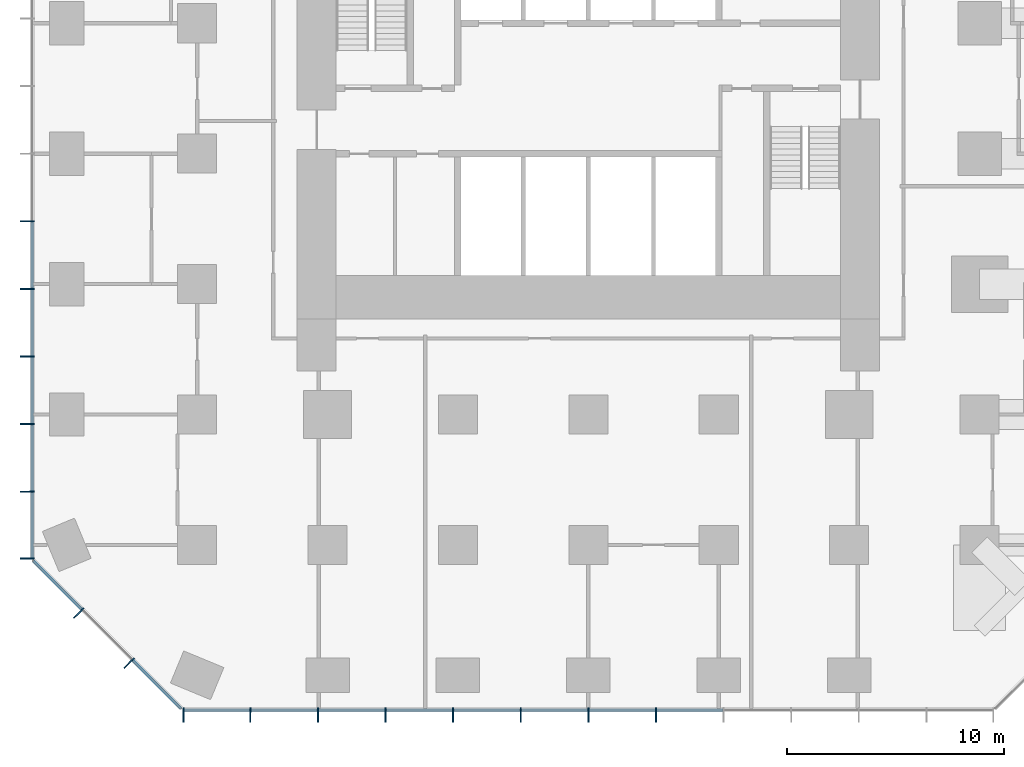
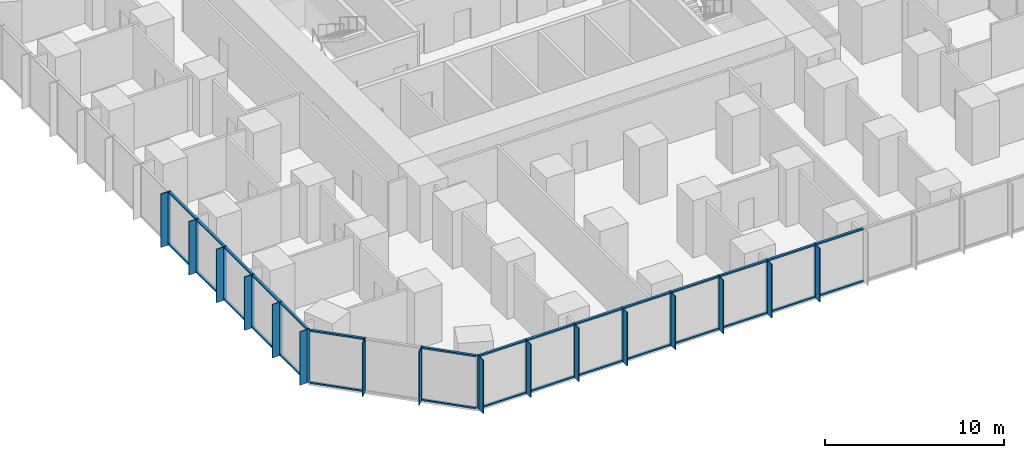
# One storey, part 2 of 13: 62 members, 3 elements without a shape of their own.
"""IFC4 building model written with IfcOpenShell, lengths in metres."""

from ifc_helpers import new_model, si_unit, direction, frame, origin, origin_2d, place, context, subcontext, project, spatial, rectangle, extrude, material, layer, layer_set, material_profile, profile_set, type_object, element, aggregate, save


model = new_model("IFC4")

# Units and contexts
model_context = context("Model", 3, precision=1e-05, world=origin(), true_north=direction((0.0, 1.0)))
body_context = subcontext(model_context, "Body", "Model", "MODEL_VIEW")
ifc_project = project(units=[si_unit("LENGTHUNIT", "METRE"), si_unit("AREAUNIT", "SQUARE_METRE"), si_unit("VOLUMEUNIT", "CUBIC_METRE"), si_unit("PLANEANGLEUNIT", "RADIAN"), si_unit("MASSUNIT", "GRAM", prefix="KILO")], contexts=[model_context])

# Site, building, storey
site_placement = place(None, origin())
site = spatial("IfcSite", under=ifc_project, at=site_placement, CompositionType="ELEMENT")
building_placement = place(site_placement, origin())
building = spatial("IfcBuilding", under=site, at=building_placement, Name="Highveld Stack Headquarters", CompositionType="ELEMENT")
storey_placement = place(building_placement, frame((0.0, 0.0, 61.10009765625)))
storey = spatial("IfcBuildingStorey", under=building, at=storey_placement, Name="L14", CompositionType="ELEMENT", Elevation=61.10009765625)

# Curtain wall, members
ifc_material_1 = material(Name="Aluminium bronze anodised", Category="aluminium")
ifc_layer_1 = layer(ifc_material_1, 0.199951171875)
ifc_layer_set_1 = layer_set([ifc_layer_1], Name="Aluminium bronze anodised")
curtain_wall_type_1 = type_object("IfcCurtainWallType", Name="CW1 TOWER UNITISED CURTAIN WALL", PredefinedType="NOTDEFINED", material=ifc_layer_set_1)
curtain_wall_1_placement = place(storey_placement, origin())
curtain_wall_1 = element("IfcCurtainWall", 1, at=curtain_wall_1_placement, inside=storey, type_object=curtain_wall_type_1, Name="Curtain wall CW1 L14 S", PredefinedType="NOTDEFINED")
ifc_material_2 = material(Name="Aluminium bronze anodised", Category="aluminium")
ifc_material_profile_1 = material_profile(ifc_material_2, rectangle(XDim=0.449951171875, YDim=0.06005859375, at=origin_2d()), Name="FIN 450x60")
ifc_profile_set_1 = profile_set([ifc_material_profile_1], Name="Aluminium bronze anodised")
member_type_1 = type_object("IfcMemberType", Name="CW1 BRONZE FIN 450x60", PredefinedType="USERDEFINED", material=ifc_profile_set_1)
member_1_placement = place(storey_placement, frame((-12.630126953125, -25.925048828125, 0.0), z_axis=(0.0, 0.0, 1.0), x_axis=(0.0, 1.0, 0.0)))
member_1 = element("IfcMember", 2, at=member_1_placement, type_object=member_type_1, Name="CW1 fin L14 1", ObjectType="FIN", PredefinedType="USERDEFINED", context=body_context, shape_type="SweptSolid", body=[
    extrude(rectangle(XDim=0.449951171875, YDim=0.06005859375, at=origin_2d()), origin(), (0.0, 0.0, 1.0), 3.64990234375),
])
member_2_placement = place(storey_placement, frame((-9.55224609375, -25.925048828125, 0.0), z_axis=(0.0, 0.0, 1.0), x_axis=(0.0, 1.0, 0.0)))
member_2 = element("IfcMember", 3, at=member_2_placement, type_object=member_type_1, Name="CW1 fin L14 2", ObjectType="FIN", PredefinedType="USERDEFINED", context=body_context, shape_type="SweptSolid", body=[
    extrude(rectangle(XDim=0.449951171875, YDim=0.06005859375, at=origin_2d()), origin(), (0.0, 0.0, 1.0), 3.64990234375),
])
member_3_placement = place(storey_placement, frame((-6.44189453125, -25.925048828125, 0.0), z_axis=(0.0, 0.0, 1.0), x_axis=(0.0, 1.0, 0.0)))
member_3 = element("IfcMember", 4, at=member_3_placement, type_object=member_type_1, Name="CW1 fin L14 3", ObjectType="FIN", PredefinedType="USERDEFINED", context=body_context, shape_type="SweptSolid", body=[
    extrude(rectangle(XDim=0.449951171875, YDim=0.06005859375, at=origin_2d()), origin(), (0.0, 0.0, 1.0), 3.64990234375),
])
member_4_placement = place(storey_placement, frame((-3.331298828125, -25.925048828125, 0.0), z_axis=(0.0, 0.0, 1.0), x_axis=(0.0, 1.0, 0.0)))
member_4 = element("IfcMember", 5, at=member_4_placement, type_object=member_type_1, Name="CW1 fin L14 4", ObjectType="FIN", PredefinedType="USERDEFINED", context=body_context, shape_type="SweptSolid", body=[
    extrude(rectangle(XDim=0.449951171875, YDim=0.06005859375, at=origin_2d()), origin(), (0.0, 0.0, 1.0), 3.64990234375),
])
member_5_placement = place(storey_placement, frame((-0.220947265625, -25.925048828125, 0.0), z_axis=(0.0, 0.0, 1.0), x_axis=(0.0, 1.0, 0.0)))
member_5 = element("IfcMember", 6, at=member_5_placement, type_object=member_type_1, Name="CW1 fin L14 5", ObjectType="FIN", PredefinedType="USERDEFINED", context=body_context, shape_type="SweptSolid", body=[
    extrude(rectangle(XDim=0.449951171875, YDim=0.06005859375, at=origin_2d()), origin(), (0.0, 0.0, 1.0), 3.64990234375),
])
member_6_placement = place(storey_placement, frame((2.8896484375, -25.925048828125, 0.0), z_axis=(0.0, 0.0, 1.0), x_axis=(0.0, 1.0, 0.0)))
member_6 = element("IfcMember", 7, at=member_6_placement, type_object=member_type_1, Name="CW1 fin L14 6", ObjectType="FIN", PredefinedType="USERDEFINED", context=body_context, shape_type="SweptSolid", body=[
    extrude(rectangle(XDim=0.449951171875, YDim=0.06005859375, at=origin_2d()), origin(), (0.0, 0.0, 1.0), 3.64990234375),
])
member_7_placement = place(storey_placement, frame((6.0, -25.925048828125, 0.0), z_axis=(0.0, 0.0, 1.0), x_axis=(0.0, 1.0, 0.0)))
member_7 = element("IfcMember", 8, at=member_7_placement, type_object=member_type_1, Name="CW1 fin L14 7", ObjectType="FIN", PredefinedType="USERDEFINED", context=body_context, shape_type="SweptSolid", body=[
    extrude(rectangle(XDim=0.449951171875, YDim=0.06005859375, at=origin_2d()), origin(), (0.0, 0.0, 1.0), 3.64990234375),
])
member_8_placement = place(storey_placement, frame((9.110595703125, -25.925048828125, 0.0), z_axis=(0.0, 0.0, 1.0), x_axis=(0.0, 1.0, 0.0)))
member_8 = element("IfcMember", 9, at=member_8_placement, type_object=member_type_1, Name="CW1 fin L14 8", ObjectType="FIN", PredefinedType="USERDEFINED", context=body_context, shape_type="SweptSolid", body=[
    extrude(rectangle(XDim=0.449951171875, YDim=0.06005859375, at=origin_2d()), origin(), (0.0, 0.0, 1.0), 3.64990234375),
])

curtain_wall_2_placement = place(storey_placement, origin())
curtain_wall_2 = element("IfcCurtainWall", 10, at=curtain_wall_2_placement, inside=storey, type_object=curtain_wall_type_1, Name="Curtain wall CW1 L14 W", PredefinedType="NOTDEFINED")
member_9_placement = place(storey_placement, frame((-19.925048828125, -3.110595703125, 0.0), z_axis=(0.0, 0.0, 1.0), x_axis=(1.0, 0.0, 0.0)))
member_9 = element("IfcMember", 11, at=member_9_placement, type_object=member_type_1, Name="CW1 fin L14 8", ObjectType="FIN", PredefinedType="USERDEFINED", context=body_context, shape_type="SweptSolid", body=[
    extrude(rectangle(XDim=0.449951171875, YDim=0.06005859375, at=origin_2d()), origin(), (0.0, 0.0, 1.0), 3.64990234375),
])
member_10_placement = place(storey_placement, frame((-19.925048828125, -6.220947265625, 0.0), z_axis=(0.0, 0.0, 1.0), x_axis=(1.0, 0.0, 0.0)))
member_10 = element("IfcMember", 12, at=member_10_placement, type_object=member_type_1, Name="CW1 fin L14 9", ObjectType="FIN", PredefinedType="USERDEFINED", context=body_context, shape_type="SweptSolid", body=[
    extrude(rectangle(XDim=0.449951171875, YDim=0.06005859375, at=origin_2d()), origin(), (0.0, 0.0, 1.0), 3.64990234375),
])
member_11_placement = place(storey_placement, frame((-19.925048828125, -9.331298828125, 0.0), z_axis=(0.0, 0.0, 1.0), x_axis=(1.0, 0.0, 0.0)))
member_11 = element("IfcMember", 13, at=member_11_placement, type_object=member_type_1, Name="CW1 fin L14 10", ObjectType="FIN", PredefinedType="USERDEFINED", context=body_context, shape_type="SweptSolid", body=[
    extrude(rectangle(XDim=0.449951171875, YDim=0.06005859375, at=origin_2d()), origin(), (0.0, 0.0, 1.0), 3.64990234375),
])
member_12_placement = place(storey_placement, frame((-19.925048828125, -12.44189453125, 0.0), z_axis=(0.0, 0.0, 1.0), x_axis=(1.0, 0.0, 0.0)))
member_12 = element("IfcMember", 14, at=member_12_placement, type_object=member_type_1, Name="CW1 fin L14 11", ObjectType="FIN", PredefinedType="USERDEFINED", context=body_context, shape_type="SweptSolid", body=[
    extrude(rectangle(XDim=0.449951171875, YDim=0.06005859375, at=origin_2d()), origin(), (0.0, 0.0, 1.0), 3.64990234375),
])
member_13_placement = place(storey_placement, frame((-19.925048828125, -15.55224609375, 0.0), z_axis=(0.0, 0.0, 1.0), x_axis=(1.0, 0.0, 0.0)))
member_13 = element("IfcMember", 15, at=member_13_placement, type_object=member_type_1, Name="CW1 fin L14 12", ObjectType="FIN", PredefinedType="USERDEFINED", context=body_context, shape_type="SweptSolid", body=[
    extrude(rectangle(XDim=0.449951171875, YDim=0.06005859375, at=origin_2d()), origin(), (0.0, 0.0, 1.0), 3.64990234375),
])
member_14_placement = place(storey_placement, frame((-19.925048828125, -18.630126953125, 0.0), z_axis=(0.0, 0.0, 1.0), x_axis=(1.0, 0.0, 0.0)))
member_14 = element("IfcMember", 16, at=member_14_placement, type_object=member_type_1, Name="CW1 fin L14 13", ObjectType="FIN", PredefinedType="USERDEFINED", context=body_context, shape_type="SweptSolid", body=[
    extrude(rectangle(XDim=0.449951171875, YDim=0.06005859375, at=origin_2d()), origin(), (0.0, 0.0, 1.0), 3.64990234375),
])

# Member
ifc_material_3 = material(Name="Aluminium bronze anodised", Category="aluminium")
ifc_material_profile_2 = material_profile(ifc_material_3, rectangle(XDim=0.199951171875, YDim=0.06494140625, at=origin_2d()), Name="CW1 MULLION 65x200")
ifc_profile_set_2 = profile_set([ifc_material_profile_2], Name="Aluminium bronze anodised")
member_type_2 = type_object("IfcMemberType", Name="CW1 MULLION 65x200", PredefinedType="MULLION", material=ifc_profile_set_2)
member_15_placement = place(storey_placement, frame((-12.630126953125, -25.60009765625, 0.0), z_axis=(0.0, 0.0, 1.0), x_axis=(0.0, 1.0, 0.0)))
member_15 = element("IfcMember", 17, at=member_15_placement, type_object=member_type_2, Name="CW1 mullion L14 1", PredefinedType="MULLION", context=body_context, shape_type="SweptSolid", body=[
    extrude(rectangle(XDim=0.199951171875, YDim=0.06494140625, at=origin_2d()), origin(), (0.0, 0.0, 1.0), 3.64990234375),
])

member_16_placement = place(storey_placement, frame((-9.55224609375, -25.60009765625, 0.0), z_axis=(0.0, 0.0, 1.0), x_axis=(0.0, 1.0, 0.0)))
member_16 = element("IfcMember", 18, at=member_16_placement, type_object=member_type_2, Name="CW1 mullion L14 2", PredefinedType="MULLION", context=body_context, shape_type="SweptSolid", body=[
    extrude(rectangle(XDim=0.199951171875, YDim=0.06494140625, at=origin_2d()), origin(), (0.0, 0.0, 1.0), 3.64990234375),
])

member_17_placement = place(storey_placement, frame((-6.44189453125, -25.60009765625, 0.0), z_axis=(0.0, 0.0, 1.0), x_axis=(0.0, 1.0, 0.0)))
member_17 = element("IfcMember", 19, at=member_17_placement, type_object=member_type_2, Name="CW1 mullion L14 3", PredefinedType="MULLION", context=body_context, shape_type="SweptSolid", body=[
    extrude(rectangle(XDim=0.199951171875, YDim=0.06494140625, at=origin_2d()), origin(), (0.0, 0.0, 1.0), 3.64990234375),
])

member_18_placement = place(storey_placement, frame((-3.331298828125, -25.60009765625, 0.0), z_axis=(0.0, 0.0, 1.0), x_axis=(0.0, 1.0, 0.0)))
member_18 = element("IfcMember", 20, at=member_18_placement, type_object=member_type_2, Name="CW1 mullion L14 4", PredefinedType="MULLION", context=body_context, shape_type="SweptSolid", body=[
    extrude(rectangle(XDim=0.199951171875, YDim=0.06494140625, at=origin_2d()), origin(), (0.0, 0.0, 1.0), 3.64990234375),
])

member_19_placement = place(storey_placement, frame((-0.220947265625, -25.60009765625, 0.0), z_axis=(0.0, 0.0, 1.0), x_axis=(0.0, 1.0, 0.0)))
member_19 = element("IfcMember", 21, at=member_19_placement, type_object=member_type_2, Name="CW1 mullion L14 5", PredefinedType="MULLION", context=body_context, shape_type="SweptSolid", body=[
    extrude(rectangle(XDim=0.199951171875, YDim=0.06494140625, at=origin_2d()), origin(), (0.0, 0.0, 1.0), 3.64990234375),
])

member_20_placement = place(storey_placement, frame((2.8896484375, -25.60009765625, 0.0), z_axis=(0.0, 0.0, 1.0), x_axis=(0.0, 1.0, 0.0)))
member_20 = element("IfcMember", 22, at=member_20_placement, type_object=member_type_2, Name="CW1 mullion L14 6", PredefinedType="MULLION", context=body_context, shape_type="SweptSolid", body=[
    extrude(rectangle(XDim=0.199951171875, YDim=0.06494140625, at=origin_2d()), origin(), (0.0, 0.0, 1.0), 3.64990234375),
])

member_21_placement = place(storey_placement, frame((6.0, -25.60009765625, 0.0), z_axis=(0.0, 0.0, 1.0), x_axis=(0.0, 1.0, 0.0)))
member_21 = element("IfcMember", 23, at=member_21_placement, type_object=member_type_2, Name="CW1 mullion L14 7", PredefinedType="MULLION", context=body_context, shape_type="SweptSolid", body=[
    extrude(rectangle(XDim=0.199951171875, YDim=0.06494140625, at=origin_2d()), origin(), (0.0, 0.0, 1.0), 3.64990234375),
])

member_22_placement = place(storey_placement, frame((9.110595703125, -25.60009765625, 0.0), z_axis=(0.0, 0.0, 1.0), x_axis=(0.0, 1.0, 0.0)))
member_22 = element("IfcMember", 24, at=member_22_placement, type_object=member_type_2, Name="CW1 mullion L14 8", PredefinedType="MULLION", context=body_context, shape_type="SweptSolid", body=[
    extrude(rectangle(XDim=0.199951171875, YDim=0.06494140625, at=origin_2d()), origin(), (0.0, 0.0, 1.0), 3.64990234375),
])

member_23_placement = place(storey_placement, frame((-19.60009765625, -3.110595703125, 0.0), z_axis=(0.0, 0.0, 1.0), x_axis=(1.0, 0.0, 0.0)))
member_23 = element("IfcMember", 25, at=member_23_placement, type_object=member_type_2, Name="CW1 mullion L14 8", PredefinedType="MULLION", context=body_context, shape_type="SweptSolid", body=[
    extrude(rectangle(XDim=0.199951171875, YDim=0.06494140625, at=origin_2d()), origin(), (0.0, 0.0, 1.0), 3.64990234375),
])

member_24_placement = place(storey_placement, frame((-19.60009765625, -6.220947265625, 0.0), z_axis=(0.0, 0.0, 1.0), x_axis=(1.0, 0.0, 0.0)))
member_24 = element("IfcMember", 26, at=member_24_placement, type_object=member_type_2, Name="CW1 mullion L14 9", PredefinedType="MULLION", context=body_context, shape_type="SweptSolid", body=[
    extrude(rectangle(XDim=0.199951171875, YDim=0.06494140625, at=origin_2d()), origin(), (0.0, 0.0, 1.0), 3.64990234375),
])

member_25_placement = place(storey_placement, frame((-19.60009765625, -9.331298828125, 0.0), z_axis=(0.0, 0.0, 1.0), x_axis=(1.0, 0.0, 0.0)))
member_25 = element("IfcMember", 27, at=member_25_placement, type_object=member_type_2, Name="CW1 mullion L14 10", PredefinedType="MULLION", context=body_context, shape_type="SweptSolid", body=[
    extrude(rectangle(XDim=0.199951171875, YDim=0.06494140625, at=origin_2d()), origin(), (0.0, 0.0, 1.0), 3.64990234375),
])

member_26_placement = place(storey_placement, frame((-19.60009765625, -12.44189453125, 0.0), z_axis=(0.0, 0.0, 1.0), x_axis=(1.0, 0.0, 0.0)))
member_26 = element("IfcMember", 28, at=member_26_placement, type_object=member_type_2, Name="CW1 mullion L14 11", PredefinedType="MULLION", context=body_context, shape_type="SweptSolid", body=[
    extrude(rectangle(XDim=0.199951171875, YDim=0.06494140625, at=origin_2d()), origin(), (0.0, 0.0, 1.0), 3.64990234375),
])

member_27_placement = place(storey_placement, frame((-19.60009765625, -15.55224609375, 0.0), z_axis=(0.0, 0.0, 1.0), x_axis=(1.0, 0.0, 0.0)))
member_27 = element("IfcMember", 29, at=member_27_placement, type_object=member_type_2, Name="CW1 mullion L14 12", PredefinedType="MULLION", context=body_context, shape_type="SweptSolid", body=[
    extrude(rectangle(XDim=0.199951171875, YDim=0.06494140625, at=origin_2d()), origin(), (0.0, 0.0, 1.0), 3.64990234375),
])

member_28_placement = place(storey_placement, frame((-19.60009765625, -18.630126953125, 0.0), z_axis=(0.0, 0.0, 1.0), x_axis=(1.0, 0.0, 0.0)))
member_28 = element("IfcMember", 30, at=member_28_placement, type_object=member_type_2, Name="CW1 mullion L14 13", PredefinedType="MULLION", context=body_context, shape_type="SweptSolid", body=[
    extrude(rectangle(XDim=0.199951171875, YDim=0.06494140625, at=origin_2d()), origin(), (0.0, 0.0, 1.0), 3.64990234375),
])

ifc_material_4 = material(Name="Aluminium bronze anodised", Category="aluminium")
ifc_material_profile_3 = material_profile(ifc_material_4, rectangle(XDim=0.14990234375, YDim=0.10009765625, at=origin_2d()), Name="CW1 TRANSOM 150x100")
ifc_profile_set_3 = profile_set([ifc_material_profile_3], Name="Aluminium bronze anodised")
member_type_3 = type_object("IfcMemberType", Name="CW1 STACK TRANSOM 150x100", PredefinedType="USERDEFINED", material=ifc_profile_set_3)
member_29_placement = place(storey_placement, frame((-12.59765625, -25.60009765625, 0.0498046875), z_axis=(1.0, 0.0, 0.0), x_axis=(0.0, 1.0, 0.0)))
member_29 = element("IfcMember", 31, at=member_29_placement, type_object=member_type_3, Name="CW1 transom L14 1.1", ObjectType="TRANSOM", PredefinedType="USERDEFINED", context=body_context, shape_type="SweptSolid", body=[
    extrude(rectangle(XDim=0.14990234375, YDim=0.10009765625, at=origin_2d()), origin(), (0.0, 0.0, 1.0), 3.012939453125),
])

member_30_placement = place(storey_placement, frame((-12.59765625, -25.60009765625, 3.599853515625), z_axis=(1.0, 0.0, 0.0), x_axis=(0.0, 1.0, 0.0)))
member_30 = element("IfcMember", 32, at=member_30_placement, type_object=member_type_3, Name="CW1 transom L14 1.2", ObjectType="TRANSOM", PredefinedType="USERDEFINED", context=body_context, shape_type="SweptSolid", body=[
    extrude(rectangle(XDim=0.14990234375, YDim=0.10009765625, at=origin_2d()), origin(), (0.0, 0.0, 1.0), 3.012939453125),
])

member_31_placement = place(storey_placement, frame((-9.519775390625, -25.60009765625, 0.0498046875), z_axis=(1.0, 0.0, 0.0), x_axis=(0.0, 1.0, 0.0)))
member_31 = element("IfcMember", 33, at=member_31_placement, type_object=member_type_3, Name="CW1 transom L14 2.1", ObjectType="TRANSOM", PredefinedType="USERDEFINED", context=body_context, shape_type="SweptSolid", body=[
    extrude(rectangle(XDim=0.14990234375, YDim=0.10009765625, at=origin_2d()), origin(), (0.0, 0.0, 1.0), 3.04541015625),
])

member_32_placement = place(storey_placement, frame((-9.519775390625, -25.60009765625, 3.599853515625), z_axis=(1.0, 0.0, 0.0), x_axis=(0.0, 1.0, 0.0)))
member_32 = element("IfcMember", 34, at=member_32_placement, type_object=member_type_3, Name="CW1 transom L14 2.2", ObjectType="TRANSOM", PredefinedType="USERDEFINED", context=body_context, shape_type="SweptSolid", body=[
    extrude(rectangle(XDim=0.14990234375, YDim=0.10009765625, at=origin_2d()), origin(), (0.0, 0.0, 1.0), 3.04541015625),
])

member_33_placement = place(storey_placement, frame((-6.4091796875, -25.60009765625, 0.0498046875), z_axis=(1.0, 0.0, 0.0), x_axis=(0.0, 1.0, 0.0)))
member_33 = element("IfcMember", 35, at=member_33_placement, type_object=member_type_3, Name="CW1 transom L14 3.1", ObjectType="TRANSOM", PredefinedType="USERDEFINED", context=body_context, shape_type="SweptSolid", body=[
    extrude(rectangle(XDim=0.14990234375, YDim=0.10009765625, at=origin_2d()), origin(), (0.0, 0.0, 1.0), 3.04541015625),
])

member_34_placement = place(storey_placement, frame((-6.4091796875, -25.60009765625, 3.599853515625), z_axis=(1.0, 0.0, 0.0), x_axis=(0.0, 1.0, 0.0)))
member_34 = element("IfcMember", 36, at=member_34_placement, type_object=member_type_3, Name="CW1 transom L14 3.2", ObjectType="TRANSOM", PredefinedType="USERDEFINED", context=body_context, shape_type="SweptSolid", body=[
    extrude(rectangle(XDim=0.14990234375, YDim=0.10009765625, at=origin_2d()), origin(), (0.0, 0.0, 1.0), 3.04541015625),
])

member_35_placement = place(storey_placement, frame((-3.298828125, -25.60009765625, 0.0498046875), z_axis=(1.0, 0.0, 0.0), x_axis=(0.0, 1.0, 0.0)))
member_35 = element("IfcMember", 37, at=member_35_placement, type_object=member_type_3, Name="CW1 transom L14 4.1", ObjectType="TRANSOM", PredefinedType="USERDEFINED", context=body_context, shape_type="SweptSolid", body=[
    extrude(rectangle(XDim=0.14990234375, YDim=0.10009765625, at=origin_2d()), origin(), (0.0, 0.0, 1.0), 3.04541015625),
])

member_36_placement = place(storey_placement, frame((-3.298828125, -25.60009765625, 3.599853515625), z_axis=(1.0, 0.0, 0.0), x_axis=(0.0, 1.0, 0.0)))
member_36 = element("IfcMember", 38, at=member_36_placement, type_object=member_type_3, Name="CW1 transom L14 4.2", ObjectType="TRANSOM", PredefinedType="USERDEFINED", context=body_context, shape_type="SweptSolid", body=[
    extrude(rectangle(XDim=0.14990234375, YDim=0.10009765625, at=origin_2d()), origin(), (0.0, 0.0, 1.0), 3.04541015625),
])

member_37_placement = place(storey_placement, frame((-0.1884765625, -25.60009765625, 0.0498046875), z_axis=(1.0, 0.0, 0.0), x_axis=(0.0, 1.0, 0.0)))
member_37 = element("IfcMember", 39, at=member_37_placement, type_object=member_type_3, Name="CW1 transom L14 5.1", ObjectType="TRANSOM", PredefinedType="USERDEFINED", context=body_context, shape_type="SweptSolid", body=[
    extrude(rectangle(XDim=0.14990234375, YDim=0.10009765625, at=origin_2d()), origin(), (0.0, 0.0, 1.0), 3.045654296875),
])

member_38_placement = place(storey_placement, frame((-0.1884765625, -25.60009765625, 3.599853515625), z_axis=(1.0, 0.0, 0.0), x_axis=(0.0, 1.0, 0.0)))
member_38 = element("IfcMember", 40, at=member_38_placement, type_object=member_type_3, Name="CW1 transom L14 5.2", ObjectType="TRANSOM", PredefinedType="USERDEFINED", context=body_context, shape_type="SweptSolid", body=[
    extrude(rectangle(XDim=0.14990234375, YDim=0.10009765625, at=origin_2d()), origin(), (0.0, 0.0, 1.0), 3.045654296875),
])

member_39_placement = place(storey_placement, frame((2.922119140625, -25.60009765625, 0.0498046875), z_axis=(1.0, 0.0, 0.0), x_axis=(0.0, 1.0, 0.0)))
member_39 = element("IfcMember", 41, at=member_39_placement, type_object=member_type_3, Name="CW1 transom L14 6.1", ObjectType="TRANSOM", PredefinedType="USERDEFINED", context=body_context, shape_type="SweptSolid", body=[
    extrude(rectangle(XDim=0.14990234375, YDim=0.10009765625, at=origin_2d()), origin(), (0.0, 0.0, 1.0), 3.04541015625),
])

member_40_placement = place(storey_placement, frame((2.922119140625, -25.60009765625, 3.599853515625), z_axis=(1.0, 0.0, 0.0), x_axis=(0.0, 1.0, 0.0)))
member_40 = element("IfcMember", 42, at=member_40_placement, type_object=member_type_3, Name="CW1 transom L14 6.2", ObjectType="TRANSOM", PredefinedType="USERDEFINED", context=body_context, shape_type="SweptSolid", body=[
    extrude(rectangle(XDim=0.14990234375, YDim=0.10009765625, at=origin_2d()), origin(), (0.0, 0.0, 1.0), 3.04541015625),
])

member_41_placement = place(storey_placement, frame((6.032470703125, -25.60009765625, 0.0498046875), z_axis=(1.0, 0.0, 0.0), x_axis=(0.0, 1.0, 0.0)))
member_41 = element("IfcMember", 43, at=member_41_placement, type_object=member_type_3, Name="CW1 transom L14 7.1", ObjectType="TRANSOM", PredefinedType="USERDEFINED", context=body_context, shape_type="SweptSolid", body=[
    extrude(rectangle(XDim=0.14990234375, YDim=0.10009765625, at=origin_2d()), origin(), (0.0, 0.0, 1.0), 3.04541015625),
])

member_42_placement = place(storey_placement, frame((6.032470703125, -25.60009765625, 3.599853515625), z_axis=(1.0, 0.0, 0.0), x_axis=(0.0, 1.0, 0.0)))
member_42 = element("IfcMember", 44, at=member_42_placement, type_object=member_type_3, Name="CW1 transom L14 7.2", ObjectType="TRANSOM", PredefinedType="USERDEFINED", context=body_context, shape_type="SweptSolid", body=[
    extrude(rectangle(XDim=0.14990234375, YDim=0.10009765625, at=origin_2d()), origin(), (0.0, 0.0, 1.0), 3.04541015625),
])

member_43_placement = place(storey_placement, frame((9.14306640625, -25.60009765625, 0.0498046875), z_axis=(1.0, 0.0, 0.0), x_axis=(0.0, 1.0, 0.0)))
member_43 = element("IfcMember", 45, at=member_43_placement, type_object=member_type_3, Name="CW1 transom L14 8.1", ObjectType="TRANSOM", PredefinedType="USERDEFINED", context=body_context, shape_type="SweptSolid", body=[
    extrude(rectangle(XDim=0.14990234375, YDim=0.10009765625, at=origin_2d()), origin(), (0.0, 0.0, 1.0), 3.04541015625),
])

member_44_placement = place(storey_placement, frame((9.14306640625, -25.60009765625, 3.599853515625), z_axis=(1.0, 0.0, 0.0), x_axis=(0.0, 1.0, 0.0)))
member_44 = element("IfcMember", 46, at=member_44_placement, type_object=member_type_3, Name="CW1 transom L14 8.2", ObjectType="TRANSOM", PredefinedType="USERDEFINED", context=body_context, shape_type="SweptSolid", body=[
    extrude(rectangle(XDim=0.14990234375, YDim=0.10009765625, at=origin_2d()), origin(), (0.0, 0.0, 1.0), 3.04541015625),
])

aggregate(curtain_wall_1, [member_15, member_1, member_16, member_2, member_17, member_3, member_18, member_4, member_19, member_5, member_20, member_6, member_21, member_7, member_22, member_8, member_29, member_30, member_31, member_32, member_33, member_34, member_35, member_36, member_37, member_38, member_39, member_40, member_41, member_42, member_43, member_44])

member_45_placement = place(storey_placement, frame((-19.60009765625, -3.142822265625, 0.0498046875), z_axis=(0.0, -1.0, 0.0), x_axis=(1.0, 0.0, 0.0)))
member_45 = element("IfcMember", 47, at=member_45_placement, type_object=member_type_3, Name="CW1 transom L14 8.1", ObjectType="TRANSOM", PredefinedType="USERDEFINED", context=body_context, shape_type="SweptSolid", body=[
    extrude(rectangle(XDim=0.14990234375, YDim=0.10009765625, at=origin_2d()), origin(), (0.0, 0.0, 1.0), 3.045654296875),
])

member_46_placement = place(storey_placement, frame((-19.60009765625, -3.142822265625, 3.599853515625), z_axis=(0.0, -1.0, 0.0), x_axis=(1.0, 0.0, 0.0)))
member_46 = element("IfcMember", 48, at=member_46_placement, type_object=member_type_3, Name="CW1 transom L14 8.2", ObjectType="TRANSOM", PredefinedType="USERDEFINED", context=body_context, shape_type="SweptSolid", body=[
    extrude(rectangle(XDim=0.14990234375, YDim=0.10009765625, at=origin_2d()), origin(), (0.0, 0.0, 1.0), 3.045654296875),
])

member_47_placement = place(storey_placement, frame((-19.60009765625, -6.25341796875, 0.0498046875), z_axis=(0.0, -1.0, 0.0), x_axis=(1.0, 0.0, 0.0)))
member_47 = element("IfcMember", 49, at=member_47_placement, type_object=member_type_3, Name="CW1 transom L14 9.1", ObjectType="TRANSOM", PredefinedType="USERDEFINED", context=body_context, shape_type="SweptSolid", body=[
    extrude(rectangle(XDim=0.14990234375, YDim=0.10009765625, at=origin_2d()), origin(), (0.0, 0.0, 1.0), 3.04541015625),
])

member_48_placement = place(storey_placement, frame((-19.60009765625, -6.25341796875, 3.599853515625), z_axis=(0.0, -1.0, 0.0), x_axis=(1.0, 0.0, 0.0)))
member_48 = element("IfcMember", 50, at=member_48_placement, type_object=member_type_3, Name="CW1 transom L14 9.2", ObjectType="TRANSOM", PredefinedType="USERDEFINED", context=body_context, shape_type="SweptSolid", body=[
    extrude(rectangle(XDim=0.14990234375, YDim=0.10009765625, at=origin_2d()), origin(), (0.0, 0.0, 1.0), 3.04541015625),
])

member_49_placement = place(storey_placement, frame((-19.60009765625, -9.36376953125, 0.0498046875), z_axis=(0.0, -1.0, 0.0), x_axis=(1.0, 0.0, 0.0)))
member_49 = element("IfcMember", 51, at=member_49_placement, type_object=member_type_3, Name="CW1 transom L14 10.1", ObjectType="TRANSOM", PredefinedType="USERDEFINED", context=body_context, shape_type="SweptSolid", body=[
    extrude(rectangle(XDim=0.14990234375, YDim=0.10009765625, at=origin_2d()), origin(), (0.0, 0.0, 1.0), 3.04541015625),
])

member_50_placement = place(storey_placement, frame((-19.60009765625, -9.36376953125, 3.599853515625), z_axis=(0.0, -1.0, 0.0), x_axis=(1.0, 0.0, 0.0)))
member_50 = element("IfcMember", 52, at=member_50_placement, type_object=member_type_3, Name="CW1 transom L14 10.2", ObjectType="TRANSOM", PredefinedType="USERDEFINED", context=body_context, shape_type="SweptSolid", body=[
    extrude(rectangle(XDim=0.14990234375, YDim=0.10009765625, at=origin_2d()), origin(), (0.0, 0.0, 1.0), 3.04541015625),
])

member_51_placement = place(storey_placement, frame((-19.60009765625, -12.474365234375, 0.0498046875), z_axis=(0.0, -1.0, 0.0), x_axis=(1.0, 0.0, 0.0)))
member_51 = element("IfcMember", 53, at=member_51_placement, type_object=member_type_3, Name="CW1 transom L14 11.1", ObjectType="TRANSOM", PredefinedType="USERDEFINED", context=body_context, shape_type="SweptSolid", body=[
    extrude(rectangle(XDim=0.14990234375, YDim=0.10009765625, at=origin_2d()), origin(), (0.0, 0.0, 1.0), 3.04541015625),
])

member_52_placement = place(storey_placement, frame((-19.60009765625, -12.474365234375, 3.599853515625), z_axis=(0.0, -1.0, 0.0), x_axis=(1.0, 0.0, 0.0)))
member_52 = element("IfcMember", 54, at=member_52_placement, type_object=member_type_3, Name="CW1 transom L14 11.2", ObjectType="TRANSOM", PredefinedType="USERDEFINED", context=body_context, shape_type="SweptSolid", body=[
    extrude(rectangle(XDim=0.14990234375, YDim=0.10009765625, at=origin_2d()), origin(), (0.0, 0.0, 1.0), 3.04541015625),
])

member_53_placement = place(storey_placement, frame((-19.60009765625, -15.584716796875, 0.0498046875), z_axis=(0.0, -1.0, 0.0), x_axis=(1.0, 0.0, 0.0)))
member_53 = element("IfcMember", 55, at=member_53_placement, type_object=member_type_3, Name="CW1 transom L14 12.1", ObjectType="TRANSOM", PredefinedType="USERDEFINED", context=body_context, shape_type="SweptSolid", body=[
    extrude(rectangle(XDim=0.14990234375, YDim=0.10009765625, at=origin_2d()), origin(), (0.0, 0.0, 1.0), 3.012939453125),
])

member_54_placement = place(storey_placement, frame((-19.60009765625, -15.584716796875, 3.599853515625), z_axis=(0.0, -1.0, 0.0), x_axis=(1.0, 0.0, 0.0)))
member_54 = element("IfcMember", 56, at=member_54_placement, type_object=member_type_3, Name="CW1 transom L14 12.2", ObjectType="TRANSOM", PredefinedType="USERDEFINED", context=body_context, shape_type="SweptSolid", body=[
    extrude(rectangle(XDim=0.14990234375, YDim=0.10009765625, at=origin_2d()), origin(), (0.0, 0.0, 1.0), 3.012939453125),
])

aggregate(curtain_wall_2, [member_23, member_9, member_24, member_10, member_25, member_11, member_26, member_12, member_27, member_13, member_28, member_14, member_45, member_46, member_47, member_48, member_49, member_50, member_51, member_52, member_53, member_54])

# Curtain wall, members
ifc_material_5 = material(Name="Aluminium bronze anodised", Category="aluminium")
ifc_layer_2 = layer(ifc_material_5, 0.199951171875)
ifc_layer_set_2 = layer_set([ifc_layer_2], Name="Aluminium bronze anodised")
curtain_wall_type_2 = type_object("IfcCurtainWallType", Name="CW2 TOWER CHAMFER UNITISED CURTAIN WALL", PredefinedType="NOTDEFINED", material=ifc_layer_set_2)
curtain_wall_3_placement = place(storey_placement, origin())
curtain_wall_3 = element("IfcCurtainWall", 57, at=curtain_wall_3_placement, inside=storey, type_object=curtain_wall_type_2, Name="Curtain wall CW2 L14 SW", PredefinedType="NOTDEFINED")
ifc_material_6 = material(Name="Aluminium bronze anodised", Category="aluminium")
ifc_material_profile_4 = material_profile(ifc_material_6, rectangle(XDim=0.449951171875, YDim=0.06005859375, at=origin_2d()), Name="FIN 450x60")
ifc_profile_set_4 = profile_set([ifc_material_profile_4], Name="Aluminium bronze anodised")
member_type_4 = type_object("IfcMemberType", Name="CW2 BRONZE FIN 450x60", PredefinedType="USERDEFINED", material=ifc_profile_set_4)
member_55_placement = place(storey_placement, frame((-17.517333984375, -21.204833984375, 0.0), z_axis=(0.0, 0.0, 1.0), x_axis=(0.707106781187, 0.707106781187, 0.0)))
member_55 = element("IfcMember", 58, at=member_55_placement, type_object=member_type_4, Name="CW2 fin L14 1", ObjectType="FIN", PredefinedType="USERDEFINED", context=body_context, shape_type="SweptSolid", body=[
    extrude(rectangle(XDim=0.449951171875, YDim=0.06005859375, at=origin_2d()), origin(), (0.0, 0.0, 1.0), 3.64990234375),
])
member_56_placement = place(storey_placement, frame((-15.204833984375, -23.517333984375, 0.0), z_axis=(0.0, 0.0, 1.0), x_axis=(0.707106781187, 0.707106781187, 0.0)))
member_56 = element("IfcMember", 59, at=member_56_placement, type_object=member_type_4, Name="CW2 fin L14 2", ObjectType="FIN", PredefinedType="USERDEFINED", context=body_context, shape_type="SweptSolid", body=[
    extrude(rectangle(XDim=0.449951171875, YDim=0.06005859375, at=origin_2d()), origin(), (0.0, 0.0, 1.0), 3.64990234375),
])
ifc_material_7 = material(Name="Aluminium bronze anodised", Category="aluminium")
ifc_material_profile_5 = material_profile(ifc_material_7, rectangle(XDim=0.199951171875, YDim=0.06494140625, at=origin_2d()), Name="CW2 MULLION 65x200")
ifc_profile_set_5 = profile_set([ifc_material_profile_5], Name="Aluminium bronze anodised")
member_type_5 = type_object("IfcMemberType", Name="CW2 MULLION 65x200", PredefinedType="MULLION", material=ifc_profile_set_5)
member_57_placement = place(storey_placement, frame((-17.28759765625, -20.97509765625, 0.0), z_axis=(0.0, 0.0, 1.0), x_axis=(0.707106781187, 0.707106781187, 0.0)))
member_57 = element("IfcMember", 60, at=member_57_placement, type_object=member_type_5, Name="CW2 mullion L14 1", PredefinedType="MULLION", context=body_context, shape_type="SweptSolid", body=[
    extrude(rectangle(XDim=0.199951171875, YDim=0.06494140625, at=origin_2d()), origin(), (0.0, 0.0, 1.0), 3.64990234375),
])
member_58_placement = place(storey_placement, frame((-14.97509765625, -23.28759765625, 0.0), z_axis=(0.0, 0.0, 1.0), x_axis=(0.707106781187, 0.707106781187, 0.0)))
member_58 = element("IfcMember", 61, at=member_58_placement, type_object=member_type_5, Name="CW2 mullion L14 2", PredefinedType="MULLION", context=body_context, shape_type="SweptSolid", body=[
    extrude(rectangle(XDim=0.199951171875, YDim=0.06494140625, at=origin_2d()), origin(), (0.0, 0.0, 1.0), 3.64990234375),
])
ifc_material_8 = material(Name="Aluminium bronze anodised", Category="aluminium")
ifc_material_profile_6 = material_profile(ifc_material_8, rectangle(XDim=0.14990234375, YDim=0.10009765625, at=origin_2d()), Name="CW2 TRANSOM 150x100")
ifc_profile_set_6 = profile_set([ifc_material_profile_6], Name="Aluminium bronze anodised")
member_type_6 = type_object("IfcMemberType", Name="CW2 STACK TRANSOM 150x100", PredefinedType="USERDEFINED", material=ifc_profile_set_6)
member_59_placement = place(storey_placement, frame((-19.529296875, -18.7333984375, 0.0498046875), z_axis=(0.707106781187, -0.707106781187, 0.0), x_axis=(0.707106781187, 0.707106781187, 0.0)))
member_59 = element("IfcMember", 62, at=member_59_placement, type_object=member_type_6, Name="CW2 transom L14 1.1", ObjectType="TRANSOM", PredefinedType="USERDEFINED", context=body_context, shape_type="SweptSolid", body=[
    extrude(rectangle(XDim=0.14990234375, YDim=0.10009765625, at=origin_2d()), origin(), (0.0, 0.0, 1.0), 3.1376953125),
])
member_60_placement = place(storey_placement, frame((-19.529296875, -18.7333984375, 3.599853515625), z_axis=(0.707106781187, -0.707106781187, 0.0), x_axis=(0.707106781187, 0.707106781187, 0.0)))
member_60 = element("IfcMember", 63, at=member_60_placement, type_object=member_type_6, Name="CW2 transom L14 1.2", ObjectType="TRANSOM", PredefinedType="USERDEFINED", context=body_context, shape_type="SweptSolid", body=[
    extrude(rectangle(XDim=0.14990234375, YDim=0.10009765625, at=origin_2d()), origin(), (0.0, 0.0, 1.0), 3.1376953125),
])
member_61_placement = place(storey_placement, frame((-14.9521484375, -23.310546875, 0.0498046875), z_axis=(0.707106781187, -0.707106781187, 0.0), x_axis=(0.707106781187, 0.707106781187, 0.0)))
member_61 = element("IfcMember", 64, at=member_61_placement, type_object=member_type_6, Name="CW2 transom L14 3.1", ObjectType="TRANSOM", PredefinedType="USERDEFINED", context=body_context, shape_type="SweptSolid", body=[
    extrude(rectangle(XDim=0.14990234375, YDim=0.10009765625, at=origin_2d()), origin(), (0.0, 0.0, 1.0), 3.1376953125),
])
member_62_placement = place(storey_placement, frame((-14.9521484375, -23.310546875, 3.599853515625), z_axis=(0.707106781187, -0.707106781187, 0.0), x_axis=(0.707106781187, 0.707106781187, 0.0)))
member_62 = element("IfcMember", 65, at=member_62_placement, type_object=member_type_6, Name="CW2 transom L14 3.2", ObjectType="TRANSOM", PredefinedType="USERDEFINED", context=body_context, shape_type="SweptSolid", body=[
    extrude(rectangle(XDim=0.14990234375, YDim=0.10009765625, at=origin_2d()), origin(), (0.0, 0.0, 1.0), 3.1376953125),
])
aggregate(curtain_wall_3, [member_57, member_55, member_58, member_56, member_59, member_60, member_61, member_62])

save(model, "model.ifc")
